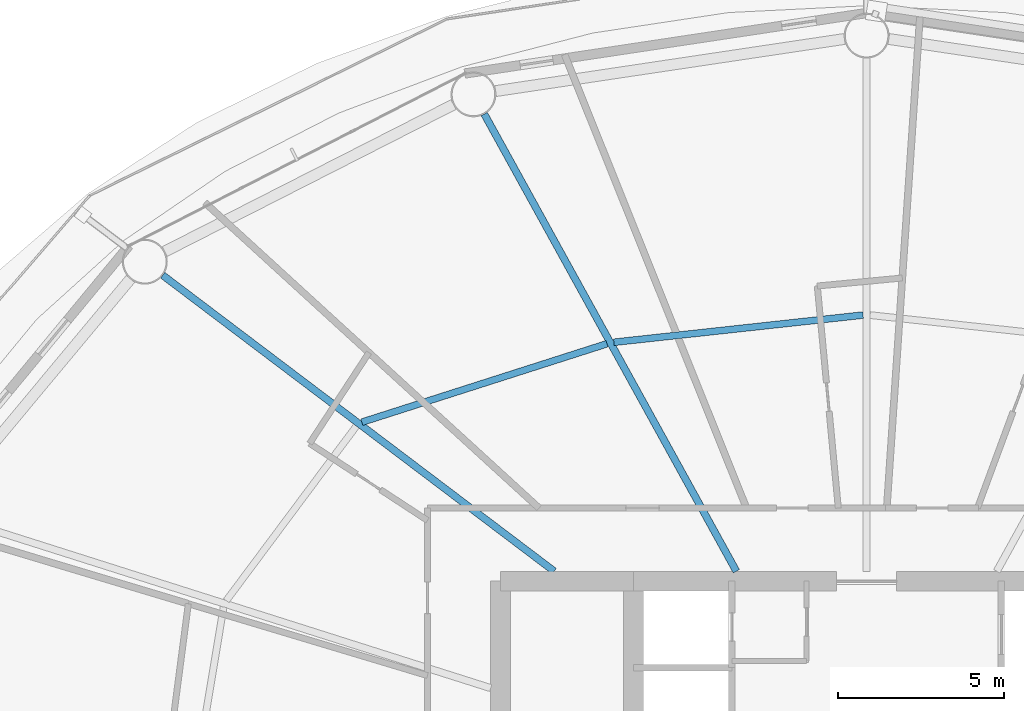
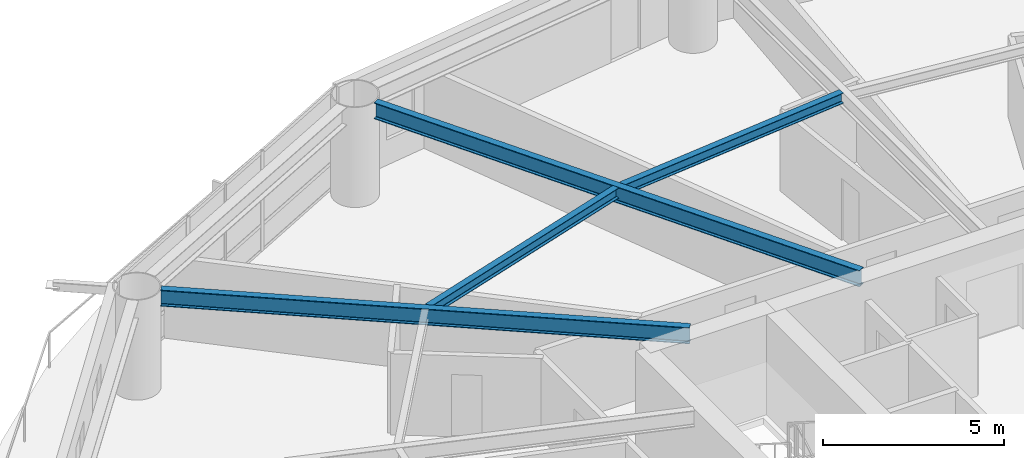
# One storey, part 11 of 26: 4 beams.
"""IFC4 building model written with IfcOpenShell, lengths in metres."""

from ifc_helpers import new_model, si_unit, direction, frame, origin, origin_2d, place, context, subcontext, project, spatial, i_section, extrude, material, material_profile, profile_set, type_object, element, save


model = new_model("IFC4")

# Units and contexts
model_context = context("Model", 3, precision=1e-05, world=origin(), true_north=direction((0.0, 1.0)))
body_context = subcontext(model_context, "Body", "Model", "MODEL_VIEW")
ifc_project = project(units=[si_unit("LENGTHUNIT", "METRE"), si_unit("AREAUNIT", "SQUARE_METRE"), si_unit("VOLUMEUNIT", "CUBIC_METRE"), si_unit("PLANEANGLEUNIT", "RADIAN"), si_unit("MASSUNIT", "GRAM", prefix="KILO")], contexts=[model_context])

# Site, building, storey
site_placement = place(None, origin())
site = spatial("IfcSite", under=ifc_project, at=site_placement, CompositionType="ELEMENT")
building_placement = place(site_placement, origin())
building = spatial("IfcBuilding", under=site, at=building_placement, Name="Sarneth Arch Tower", CompositionType="ELEMENT")
storey_placement = place(building_placement, frame((0.0, 0.0, 60.60009765625)))
storey = spatial("IfcBuildingStorey", under=building, at=storey_placement, Name="L14", CompositionType="ELEMENT", Elevation=60.60009765625)

# Beams
ifc_material_1 = material(Name="Steel S355", Category="steel")
ifc_material_profile_1 = material_profile(ifc_material_1, i_section(OverallWidth=0.2041015625, OverallDepth=0.35009765625, WebThickness=0.008544921875, FlangeThickness=0.01513671875, FilletRadius=0.014892578125, at=origin_2d()), Name="W360x72")
ifc_profile_set_1 = profile_set([ifc_material_profile_1], Name="Steel S355")
beam_type_1 = type_object("IfcBeamType", Name="BM-JOIST-360D", PredefinedType="JOIST", material=ifc_profile_set_1)
beam_1_placement = place(storey_placement, frame((47.8935546875, 56.80078125, 3.204833984375), z_axis=(-0.994095251924, -0.108510967657, 0.0), x_axis=(0.108510967657, -0.994095251924, 0.0)))
element("IfcBeam", 1, at=beam_1_placement, inside=storey, type_object=beam_type_1, Name="L14 Secondary floor joist 05", PredefinedType="JOIST", context=body_context, shape_type="SweptSolid", body=[
    extrude(i_section(OverallWidth=0.2041015625, OverallDepth=0.35009765625, WebThickness=0.008544921875, FlangeThickness=0.01513671875, FilletRadius=0.014892578125, at=origin_2d()), origin(), (0.0, 0.0, 1.0), 7.534912109375),
])
beam_2_placement = place(storey_placement, frame((40.19482421875, 55.938720703125, 3.204833984375), z_axis=(-0.952436240143, -0.304737934073, 0.0), x_axis=(0.304737934073, -0.952436240143, 0.0)))
element("IfcBeam", 2, at=beam_2_placement, inside=storey, type_object=beam_type_1, Name="L14 Secondary floor joist 06", PredefinedType="JOIST", context=body_context, shape_type="SweptSolid", body=[
    extrude(i_section(OverallWidth=0.2041015625, OverallDepth=0.35009765625, WebThickness=0.008544921875, FlangeThickness=0.01513671875, FilletRadius=0.014892578125, at=origin_2d()), origin(), (0.0, 0.0, 1.0), 7.735107421875),
])
ifc_material_2 = material(Name="Steel S355", Category="steel")
ifc_material_profile_2 = material_profile(ifc_material_2, i_section(OverallWidth=0.214111328125, OverallDepth=0.549072265625, WebThickness=0.0146484375, FlangeThickness=0.023681640625, FilletRadius=0.01806640625, at=origin_2d()), Name="W530x138")
ifc_profile_set_2 = profile_set([ifc_material_profile_2], Name="Steel S355")
beam_type_2 = type_object("IfcBeamType", Name="BM-RAD-530A", PredefinedType="BEAM", material=ifc_profile_set_2)
beam_3_placement = place(storey_placement, frame((44.08544921875, 49.10009765625, 3.10546875), z_axis=(-0.482837562311, 0.875709933952, 0.0), x_axis=(-0.875709933952, -0.482837562311, 0.0)))
element("IfcBeam", 3, at=beam_3_placement, inside=storey, type_object=beam_type_2, Name="L14 Radial floor girder 06", PredefinedType="BEAM", context=body_context, shape_type="SweptSolid", body=[
    extrude(i_section(OverallWidth=0.214111328125, OverallDepth=0.549072265625, WebThickness=0.0146484375, FlangeThickness=0.023681640625, FilletRadius=0.01806640625, at=origin_2d()), origin(), (0.0, 0.0, 1.0), 15.693359375),
])
beam_4_placement = place(storey_placement, frame((38.609619140625, 49.10009765625, 3.10546875), z_axis=(-0.797656612852, 0.603111870198, 0.0), x_axis=(-0.603111870198, -0.797656612852, 0.0)))
element("IfcBeam", 4, at=beam_4_placement, inside=storey, type_object=beam_type_2, Name="L14 Radial floor girder 07", PredefinedType="BEAM", context=body_context, shape_type="SweptSolid", body=[
    extrude(i_section(OverallWidth=0.214111328125, OverallDepth=0.549072265625, WebThickness=0.0146484375, FlangeThickness=0.023681640625, FilletRadius=0.01806640625, at=origin_2d()), origin(), (0.0, 0.0, 1.0), 14.7529296875),
])

save(model, "model.ifc")
